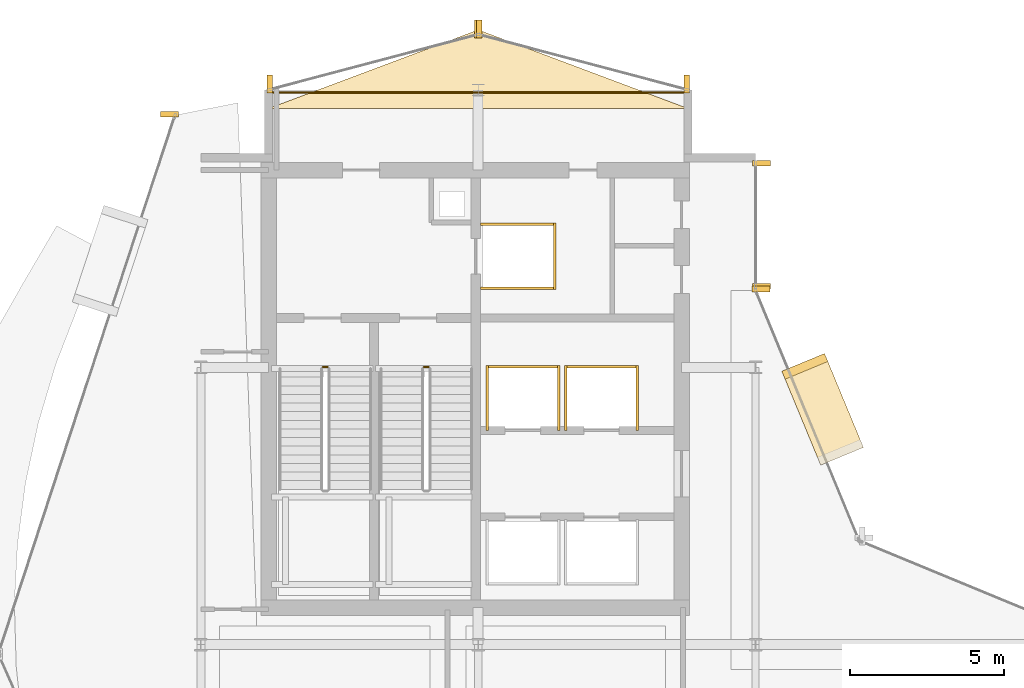
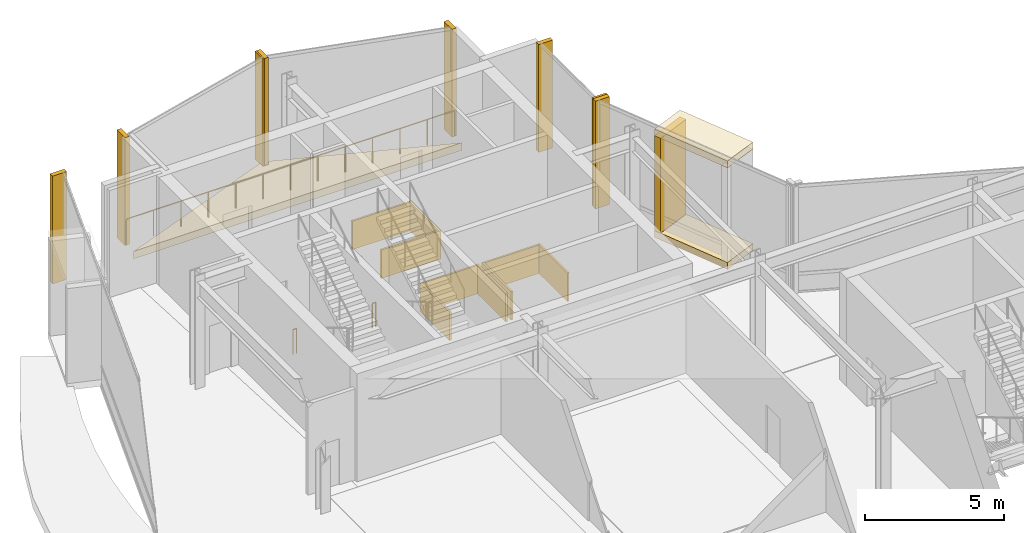
# One storey, part 28 of 28: 21 coverings, 3 railings.
"""IFC4 building model written with IfcOpenShell, lengths in metres."""

from ifc_helpers import new_model, si_unit, direction, frame, origin, origin_2d, place, context, subcontext, project, spatial, polyline, rectangle, circle, outline, extrude, material, layer, layer_set, type_object, element, save


model = new_model("IFC4")

# Units and contexts
model_context = context("Model", 3, precision=1e-05, world=origin(), true_north=direction((0.0, 1.0)))
body_context = subcontext(model_context, "Body", "Model", "MODEL_VIEW")
ifc_project = project(units=[si_unit("LENGTHUNIT", "METRE"), si_unit("AREAUNIT", "SQUARE_METRE"), si_unit("VOLUMEUNIT", "CUBIC_METRE"), si_unit("PLANEANGLEUNIT", "RADIAN"), si_unit("MASSUNIT", "GRAM", prefix="KILO")], contexts=[model_context])

# Site, building, storey
site_placement = place(None, origin())
site = spatial("IfcSite", under=ifc_project, at=site_placement, CompositionType="ELEMENT")
building_placement = place(site_placement, origin())
building = spatial("IfcBuilding", under=site, at=building_placement, Name="Solvaryn Broadcast Tower", CompositionType="ELEMENT")
storey_placement = place(building_placement, frame((0.0, 0.0, 201.199951171875)))
storey = spatial("IfcBuildingStorey", under=building, at=storey_placement, Name="L50", CompositionType="ELEMENT", Elevation=201.199951171875)

# Coverings
ifc_material_1 = material(Name="Fire-Rated Gypsum Shaftwall Liner", Category="concrete")
ifc_layer_1 = layer(ifc_material_1, 0.080078125)
ifc_layer_set_1 = layer_set([ifc_layer_1], Name="CV-SHAFT-LINER")
covering_type_1 = type_object("IfcCoveringType", Name="CV-SHAFT-LINER", PredefinedType="CLADDING", material=ifc_layer_set_1)
for number, where, z_axis, x_axis, name in (
    (1, (19.300048828125, 40.639892578125, 0.0), (0.0, 0.0, 1.0), (1.0, 0.0, 0.0), "L50 FL1 Hoistway Shaft Liner North"),
    (2, (19.300048828125, 38.56005859375, 0.0), (0.0, 0.0, 1.0), (1.0, 0.0, 0.0), "L50 FL1 Hoistway Shaft Liner South"),
):
    element("IfcCovering", number, at=place(storey_placement, frame(where, z_axis=z_axis, x_axis=x_axis)), inside=storey, type_object=covering_type_1, Name=name, PredefinedType="CLADDING", context=body_context, shape_type="SweptSolid", body=[
        extrude(rectangle(XDim=2.4599609375, YDim=0.080078125, at=origin_2d()), origin(), (0.0, 0.0, 1.0), 1.25),
    ])
covering_1_placement = place(storey_placement, frame((20.489990234375, 39.60009765625, 0.0), z_axis=(0.0, 0.0, 1.0), x_axis=(1.0, 0.0, 0.0)))
element("IfcCovering", 3, at=covering_1_placement, inside=storey, type_object=covering_type_1, Name="L50 FL1 Hoistway Shaft Liner East", PredefinedType="CLADDING", context=body_context, shape_type="SweptSolid", body=[
    extrude(rectangle(XDim=0.080078125, YDim=2.159912109375, at=origin_2d()), origin(), (0.0, 0.0, 1.0), 1.25),
])
covering_2_placement = place(storey_placement, frame((19.449951171875, 36.014892578125, 0.0), z_axis=(0.0, 0.0, 1.0), x_axis=(1.0, 0.0, 0.0)))
element("IfcCovering", 4, at=covering_2_placement, inside=storey, type_object=covering_type_1, Name="L50 PH3 Hoistway Shaft Liner North", PredefinedType="CLADDING", context=body_context, shape_type="SweptSolid", body=[
    extrude(rectangle(XDim=2.409912109375, YDim=0.080078125, at=origin_2d()), origin(), (0.0, 0.0, 1.0), 1.25),
])
for number, where, z_axis, x_axis, name in (
    (5, (20.614990234375, 35.0, 0.0), (0.0, 0.0, 1.0), (1.0, 0.0, 0.0), "L50 PH3 Hoistway Shaft Liner East"),
    (6, (18.284912109375, 35.0, 0.0), (0.0, 0.0, 1.0), (1.0, 0.0, 0.0), "L50 PH3 Hoistway Shaft Liner West"),
):
    element("IfcCovering", number, at=place(storey_placement, frame(where, z_axis=z_axis, x_axis=x_axis)), inside=storey, type_object=covering_type_1, Name=name, PredefinedType="CLADDING", context=body_context, shape_type="SweptSolid", body=[
        extrude(rectangle(XDim=0.080078125, YDim=2.110107421875, at=origin_2d()), origin(), (0.0, 0.0, 1.0), 1.25),
    ])
covering_3_placement = place(storey_placement, frame((22.0, 36.014892578125, 0.0), z_axis=(0.0, 0.0, 1.0), x_axis=(1.0, 0.0, 0.0)))
element("IfcCovering", 7, at=covering_3_placement, inside=storey, type_object=covering_type_1, Name="L50 PH4 Hoistway Shaft Liner North", PredefinedType="CLADDING", context=body_context, shape_type="SweptSolid", body=[
    extrude(rectangle(XDim=2.409912109375, YDim=0.080078125, at=origin_2d()), origin(), (0.0, 0.0, 1.0), 1.25),
])
for number, where, z_axis, x_axis, name in (
    (8, (23.1650390625, 35.0, 0.0), (0.0, 0.0, 1.0), (1.0, 0.0, 0.0), "L50 PH4 Hoistway Shaft Liner East"),
    (9, (20.8349609375, 35.0, 0.0), (0.0, 0.0, 1.0), (1.0, 0.0, 0.0), "L50 PH4 Hoistway Shaft Liner West"),
):
    element("IfcCovering", number, at=place(storey_placement, frame(where, z_axis=z_axis, x_axis=x_axis)), inside=storey, type_object=covering_type_1, Name=name, PredefinedType="CLADDING", context=body_context, shape_type="SweptSolid", body=[
        extrude(rectangle(XDim=0.080078125, YDim=2.110107421875, at=origin_2d()), origin(), (0.0, 0.0, 1.0), 1.25),
    ])
ifc_material_2 = material(Name="Glazed Architectural Terracotta Rainscreen Cladding", Category="masonry")
ifc_layer_2 = layer(ifc_material_2, 0.280029296875)
ifc_layer_set_2 = layer_set([ifc_layer_2], Name="CV-TC-CLAD")
covering_type_2 = type_object("IfcCoveringType", Name="CV-TC-CLAD", PredefinedType="CLADDING", material=ifc_layer_set_2)
for number, where, z_axis, x_axis, name in (
    (10, (29.174072265625, 34.636962890625, 4.43017578125), (0.0, 0.0, 1.0), (-0.382683432365, 0.923879532511, 0.0), "L50 Projecting Stone Window Box Hood 5"),
    (11, (29.174072265625, 34.636962890625, -0.009765625), (0.0, 0.0, 1.0), (-0.382683432365, 0.923879532511, 0.0), "L50 Projecting Stone Window Box Sill 5"),
):
    element("IfcCovering", number, at=place(storey_placement, frame(where, z_axis=z_axis, x_axis=x_axis)), inside=storey, type_object=covering_type_2, Name=name, PredefinedType="CLADDING", context=body_context, shape_type="SweptSolid", body=[
        extrude(rectangle(XDim=3.300048828125, YDim=1.5, at=origin_2d()), origin(), (0.0, 0.0, 1.0), 0.300048828125),
    ])
covering_4_placement = place(storey_placement, frame((28.59619140625, 36.031982421875, 0.2802734375), z_axis=(0.0, 0.0, 1.0), x_axis=(-0.382683432365, 0.923879532511, 0.0)))
element("IfcCovering", 12, at=covering_4_placement, inside=storey, type_object=covering_type_2, Name="L50 Projecting Stone Window Box Cheek 5-2", PredefinedType="CLADDING", context=body_context, shape_type="SweptSolid", body=[
    extrude(rectangle(XDim=0.280029296875, YDim=1.5, at=origin_2d()), origin(), (0.0, 0.0, 1.0), 4.159912109375),
])
ifc_material_3 = material(Name="Extruded Architectural Terracotta Fin", Category="masonry")
ifc_layer_3 = layer(ifc_material_3, 0.179931640625)
ifc_layer_set_3 = layer_set([ifc_layer_3], Name="CV-TC-FIN")
covering_type_3 = type_object("IfcCoveringType", Name="CV-TC-FIN", PredefinedType="USERDEFINED", material=ifc_layer_set_3)
for number, where, z_axis, x_axis, name in (
    (13, (7.982666015625, 44.209716796875, 0.0), (0.0, 0.0, 1.0), (1.0, 0.0, 0.0), "L50 Terracotta Vertical Fin FIN-L50-DR1-M00"),
    (14, (27.1875, 42.6201171875, 0.0), (0.0, 0.0, 1.0), (1.0, 0.0, 0.0), "L50 Terracotta Vertical Fin FIN-L50-IV-M00"),
    (15, (27.1875, 38.6298828125, 0.0), (0.0, 0.0, 1.0), (1.0, 0.0, 0.0), "L50 Terracotta Vertical Fin FIN-L50-IV-M01"),
    (16, (27.177978515625, 38.541259765625, 0.0), (0.0, 0.0, 1.0), (1.0, 0.0, 0.0), "L50 Terracotta Vertical Fin FIN-L50-CN2-M01"),
):
    element("IfcCovering", number, at=place(storey_placement, frame(where, z_axis=z_axis, x_axis=x_axis)), inside=storey, type_object=covering_type_3, Name=name, ObjectType="FIN", PredefinedType="USERDEFINED", context=body_context, shape_type="SweptSolid", body=[
        extrude(rectangle(XDim=0.580078125, YDim=0.179931640625, at=origin_2d()), origin(), (0.0, 0.0, 1.0), 4.719970703125),
    ])
for number, where, z_axis, x_axis, name in (
    (17, (24.77099609375, 45.1953125, 0.0), (0.0, 0.0, 1.0), (1.0, 0.0, 0.0), "L50 Terracotta Vertical Fin FIN-L50-NT1-M00"),
    (18, (18.029052734375, 46.979736328125, 0.0), (0.0, 0.0, 1.0), (1.0, 0.0, 0.0), "L50 Terracotta Vertical Fin FIN-L50-NT1-M01"),
    (19, (17.970947265625, 46.979736328125, 0.0), (0.0, 0.0, 1.0), (1.0, 0.0, 0.0), "L50 Terracotta Vertical Fin FIN-L50-NT2-M00"),
    (20, (11.22900390625, 45.1953125, 0.0), (0.0, 0.0, 1.0), (1.0, 0.0, 0.0), "L50 Terracotta Vertical Fin FIN-L50-NT2-M01"),
):
    element("IfcCovering", number, at=place(storey_placement, frame(where, z_axis=z_axis, x_axis=x_axis)), inside=storey, type_object=covering_type_3, Name=name, ObjectType="FIN", PredefinedType="USERDEFINED", context=body_context, shape_type="SweptSolid", body=[
        extrude(rectangle(XDim=0.179931640625, YDim=0.580078125, at=origin_2d()), origin(), (0.0, 0.0, 1.0), 4.719970703125),
    ])
ifc_material_4 = material(Name="Sculpted Architectural Terracotta Wave Fascia", Category="masonry")
ifc_layer_4 = layer(ifc_material_4, 0.340087890625)
ifc_layer_set_4 = layer_set([ifc_layer_4], Name="CV-WAVE-TRAY")
covering_type_4 = type_object("IfcCoveringType", Name="CV-WAVE-TRAY", PredefinedType="CLADDING", material=ifc_layer_set_4)
covering_5_placement = place(storey_placement, frame((0.0, 0.0, -0.300048828125)))
element("IfcCovering", 21, at=covering_5_placement, inside=storey, type_object=covering_type_4, Name="L50 North Curved Wing Deck", PredefinedType="CLADDING", context=body_context, shape_type="SweptSolid", body=[
    extrude(outline(polyline([(11.199951171875, 44.39990234375), (24.800048828125, 44.39990234375), (18.0, 46.949951171875), (11.199951171875, 44.39990234375)])), origin(), (0.0, 0.0, 1.0), 0.330078125),
])

# Railings
ifc_material_5 = material(Name="Painted Steel Stair Well Guard", Category="steel")
railing_type_1 = type_object("IfcRailingType", Name="RL-STAIR-GUARD", PredefinedType="BALUSTRADE", material=ifc_material_5)
railing_1_placement = place(storey_placement, frame((12.9599609375, 36.010009765625, 0.0)))
element("IfcRailing", 22, at=railing_1_placement, inside=storey, type_object=railing_type_1, Name="L50 ST1 stair guard 4", PredefinedType="BALUSTRADE", context=body_context, shape_type="SweptSolid", body=[
    extrude(circle(Radius=0.02392578125, at=origin_2d()), frame((0.0, 0.0, 1.076171875), z_axis=(1.0, 0.0, 0.0), x_axis=(0.0, 1.0, 0.0)), (0.0, 0.0, 1.0), 0.150146484375),
    extrude(circle(Radius=0.02099609375, at=origin_2d()), origin(), (0.0, 0.0, 1.0), 1.052001953125),
    extrude(circle(Radius=0.02099609375, at=origin_2d()), frame((0.150146484375, 0.0, 0.0)), (0.0, 0.0, 1.0), 1.052001953125),
])
railing_2_placement = place(storey_placement, frame((16.239990234375, 36.010009765625, 0.0)))
element("IfcRailing", 23, at=railing_2_placement, inside=storey, type_object=railing_type_1, Name="L50 ST2 stair guard 4", PredefinedType="BALUSTRADE", context=body_context, shape_type="SweptSolid", body=[
    extrude(circle(Radius=0.02392578125, at=origin_2d()), frame((0.0, 0.0, 1.076171875), z_axis=(1.0, 0.0, 0.0), x_axis=(0.0, 1.0, 0.0)), (0.0, 0.0, 1.0), 0.14990234375),
    extrude(circle(Radius=0.02099609375, at=origin_2d()), origin(), (0.0, 0.0, 1.0), 1.052001953125),
    extrude(circle(Radius=0.02099609375, at=origin_2d()), frame((0.14990234375, 0.0, 0.0)), (0.0, 0.0, 1.0), 1.052001953125),
])
ifc_material_6 = material(Name="Stainless Steel and Laminated Glass Guard", Category="steel")
railing_type_2 = type_object("IfcRailingType", Name="RL-TER-1150", PredefinedType="BALUSTRADE", material=ifc_material_6)
railing_3_placement = place(storey_placement, frame((11.199951171875, 44.919921875, 0.0)))
element("IfcRailing", 24, at=railing_3_placement, inside=storey, type_object=railing_type_2, Name="L50 North Wing Spandrel Edge Guard", PredefinedType="BALUSTRADE", context=body_context, shape_type="SweptSolid", body=[
    extrude(circle(Radius=0.02392578125, at=origin_2d()), frame((0.0, 0.0, 1.1259765625), z_axis=(1.0, 0.0, 0.0), x_axis=(0.0, 1.0, 0.0)), (0.0, 0.0, 1.0), 13.60009765625),
    extrude(circle(Radius=0.02099609375, at=origin_2d()), origin(), (0.0, 0.0, 1.0), 1.101806640625),
    extrude(circle(Radius=0.02099609375, at=origin_2d()), frame((1.13330078125, 0.0, 0.0)), (0.0, 0.0, 1.0), 1.101806640625),
    extrude(circle(Radius=0.02099609375, at=origin_2d()), frame((2.2666015625, 0.0, 0.0)), (0.0, 0.0, 1.0), 1.101806640625),
    extrude(circle(Radius=0.02099609375, at=origin_2d()), frame((3.39990234375, 0.0, 0.0)), (0.0, 0.0, 1.0), 1.101806640625),
    extrude(circle(Radius=0.02099609375, at=origin_2d()), frame((4.533447265625, 0.0, 0.0)), (0.0, 0.0, 1.0), 1.101806640625),
    extrude(circle(Radius=0.02099609375, at=origin_2d()), frame((5.666748046875, 0.0, 0.0)), (0.0, 0.0, 1.0), 1.101806640625),
    extrude(circle(Radius=0.02099609375, at=origin_2d()), frame((6.800048828125, 0.0, 0.0)), (0.0, 0.0, 1.0), 1.101806640625),
    extrude(circle(Radius=0.02099609375, at=origin_2d()), frame((7.933349609375, 0.0, 0.0)), (0.0, 0.0, 1.0), 1.101806640625),
    extrude(circle(Radius=0.02099609375, at=origin_2d()), frame((9.066650390625, 0.0, 0.0)), (0.0, 0.0, 1.0), 1.101806640625),
    extrude(circle(Radius=0.02099609375, at=origin_2d()), frame((10.2001953125, 0.0, 0.0)), (0.0, 0.0, 1.0), 1.101806640625),
    extrude(circle(Radius=0.02099609375, at=origin_2d()), frame((11.33349609375, 0.0, 0.0)), (0.0, 0.0, 1.0), 1.101806640625),
    extrude(circle(Radius=0.02099609375, at=origin_2d()), frame((12.466796875, 0.0, 0.0)), (0.0, 0.0, 1.0), 1.101806640625),
    extrude(circle(Radius=0.02099609375, at=origin_2d()), frame((13.60009765625, 0.0, 0.0)), (0.0, 0.0, 1.0), 1.101806640625),
])

save(model, "model.ifc")
